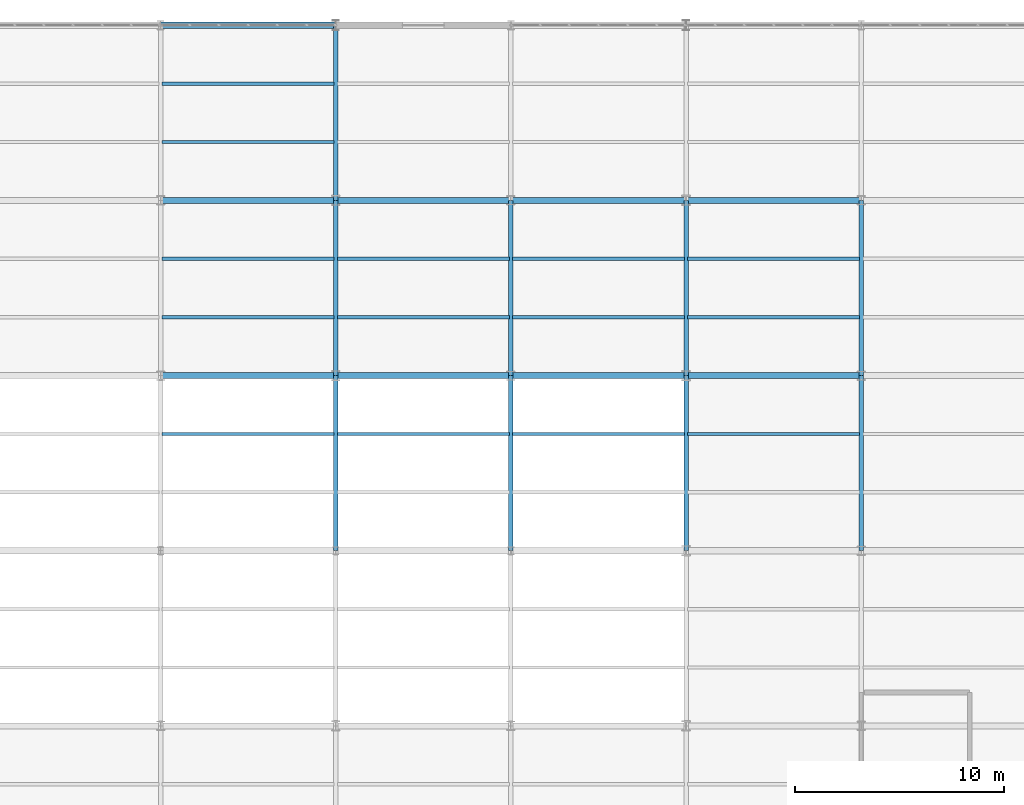
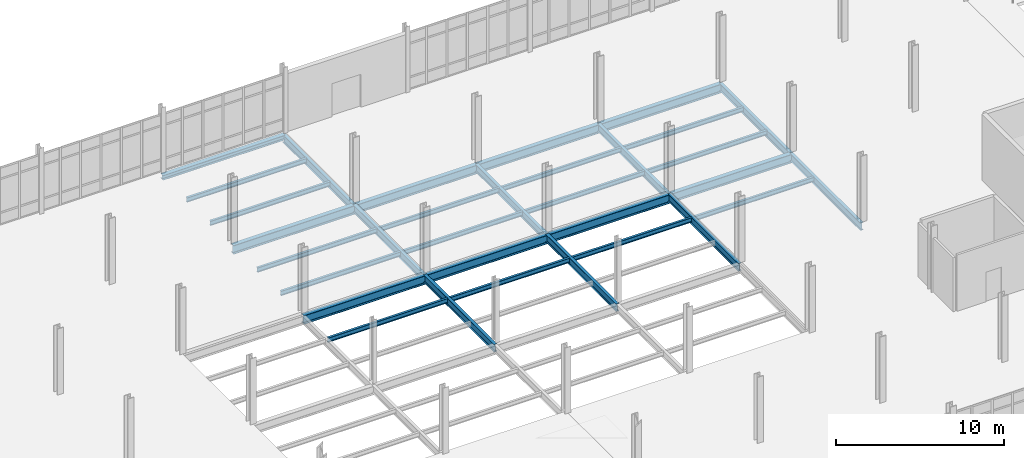
# One storey, part 88 of 145: 32 beams.
"""IFC4 building model written with IfcOpenShell, lengths in metres."""

from ifc_helpers import new_model, si_unit, direction, frame, origin, origin_2d, place, context, subcontext, project, spatial, i_section, extrude, material, material_profile, profile_set, type_object, element, save


model = new_model("IFC4")

# Units and contexts
model_context = context("Model", 3, precision=1e-05, world=origin(), true_north=direction((0.0, 1.0)))
body_context = subcontext(model_context, "Body", "Model", "MODEL_VIEW")
ifc_project = project(units=[si_unit("LENGTHUNIT", "METRE"), si_unit("AREAUNIT", "SQUARE_METRE"), si_unit("VOLUMEUNIT", "CUBIC_METRE"), si_unit("PLANEANGLEUNIT", "RADIAN"), si_unit("MASSUNIT", "GRAM", prefix="KILO")], contexts=[model_context])

# Site, building, storey
site_placement = place(None, origin())
site = spatial("IfcSite", under=ifc_project, at=site_placement, CompositionType="ELEMENT")
building_placement = place(site_placement, origin())
building = spatial("IfcBuilding", under=site, at=building_placement, Name="Qalvenar Corner Mobility Hub", CompositionType="ELEMENT")
storey_placement = place(building_placement, origin())
storey = spatial("IfcBuildingStorey", under=building, at=storey_placement, Name="L00", CompositionType="ELEMENT", Elevation=0.0)

# Beams
ifc_material = material(Name="Steel S355", Category="steel")
ifc_material_profile_1 = material_profile(ifc_material, i_section(OverallWidth=0.300048828125, OverallDepth=0.639892578125, WebThickness=0.013427734375, FlangeThickness=0.02587890625, FilletRadius=0.027099609375, at=origin_2d()), Name="HEA650")
ifc_profile_set_1 = profile_set([ifc_material_profile_1], Name="Steel S355")
beam_type_1 = type_object("IfcBeamType", Name="BM-HEA650", PredefinedType="BEAM", material=ifc_profile_set_1)
beam_1_placement = place(storey_placement, frame((92.39990234375, 100.800048828125, -0.5400390625), z_axis=(1.0, 0.0, 0.0), x_axis=(0.0, 1.0, 0.0)))
element("IfcBeam", 1, at=beam_1_placement, inside=storey, type_object=beam_type_1, Name="Primary Steel Girder GX-0565", PredefinedType="BEAM", context=body_context, shape_type="SweptSolid", body=[
    extrude(i_section(OverallWidth=0.300048828125, OverallDepth=0.639892578125, WebThickness=0.013427734375, FlangeThickness=0.02587890625, FilletRadius=0.027099609375, at=origin_2d()), origin(), (0.0, 0.0, 1.0), 8.400146484375),
])
beam_2_placement = place(storey_placement, frame((100.800048828125, 100.800048828125, -0.5400390625), z_axis=(1.0, 0.0, 0.0), x_axis=(0.0, 1.0, 0.0)))
element("IfcBeam", 2, at=beam_2_placement, inside=storey, type_object=beam_type_1, Name="Primary Steel Girder GX-0566", PredefinedType="BEAM", context=body_context, shape_type="SweptSolid", body=[
    extrude(i_section(OverallWidth=0.300048828125, OverallDepth=0.639892578125, WebThickness=0.013427734375, FlangeThickness=0.02587890625, FilletRadius=0.027099609375, at=origin_2d()), origin(), (0.0, 0.0, 1.0), 8.39990234375),
])
beam_3_placement = place(storey_placement, frame((109.199951171875, 100.800048828125, -0.5400390625), z_axis=(1.0, 0.0, 0.0), x_axis=(0.0, 1.0, 0.0)))
element("IfcBeam", 3, at=beam_3_placement, inside=storey, type_object=beam_type_1, Name="Primary Steel Girder GX-0567", PredefinedType="BEAM", context=body_context, shape_type="SweptSolid", body=[
    extrude(i_section(OverallWidth=0.300048828125, OverallDepth=0.639892578125, WebThickness=0.013427734375, FlangeThickness=0.02587890625, FilletRadius=0.027099609375, at=origin_2d()), origin(), (0.0, 0.0, 1.0), 8.400146484375),
])
beam_4_placement = place(storey_placement, frame((117.60009765625, 100.800048828125, -0.5400390625), z_axis=(1.0, 0.0, 0.0), x_axis=(0.0, 1.0, 0.0)))
element("IfcBeam", 4, at=beam_4_placement, inside=storey, type_object=beam_type_1, Name="Primary Steel Girder GX-0568", PredefinedType="BEAM", context=body_context, shape_type="SweptSolid", body=[
    extrude(i_section(OverallWidth=0.300048828125, OverallDepth=0.639892578125, WebThickness=0.013427734375, FlangeThickness=0.02587890625, FilletRadius=0.027099609375, at=origin_2d()), origin(), (0.0, 0.0, 1.0), 8.39990234375),
])
beam_5_placement = place(storey_placement, frame((92.39990234375, 109.199951171875, -0.5400390625), z_axis=(1.0, 0.0, 0.0), x_axis=(0.0, 1.0, 0.0)))
element("IfcBeam", 5, at=beam_5_placement, inside=storey, type_object=beam_type_1, Name="Primary Steel Girder GX-0575", PredefinedType="BEAM", context=body_context, shape_type="SweptSolid", body=[
    extrude(i_section(OverallWidth=0.300048828125, OverallDepth=0.639892578125, WebThickness=0.013427734375, FlangeThickness=0.02587890625, FilletRadius=0.027099609375, at=origin_2d()), origin(), (0.0, 0.0, 1.0), 8.400146484375),
])
beam_6_placement = place(storey_placement, frame((100.800048828125, 109.199951171875, -0.5400390625), z_axis=(1.0, 0.0, 0.0), x_axis=(0.0, 1.0, 0.0)))
element("IfcBeam", 6, at=beam_6_placement, inside=storey, type_object=beam_type_1, Name="Primary Steel Girder GX-0576", PredefinedType="BEAM", context=body_context, shape_type="SweptSolid", body=[
    extrude(i_section(OverallWidth=0.300048828125, OverallDepth=0.639892578125, WebThickness=0.013427734375, FlangeThickness=0.02587890625, FilletRadius=0.027099609375, at=origin_2d()), origin(), (0.0, 0.0, 1.0), 8.39990234375),
])
beam_7_placement = place(storey_placement, frame((109.199951171875, 109.199951171875, -0.5400390625), z_axis=(1.0, 0.0, 0.0), x_axis=(0.0, 1.0, 0.0)))
element("IfcBeam", 7, at=beam_7_placement, inside=storey, type_object=beam_type_1, Name="Primary Steel Girder GX-0577", PredefinedType="BEAM", context=body_context, shape_type="SweptSolid", body=[
    extrude(i_section(OverallWidth=0.300048828125, OverallDepth=0.639892578125, WebThickness=0.013427734375, FlangeThickness=0.02587890625, FilletRadius=0.027099609375, at=origin_2d()), origin(), (0.0, 0.0, 1.0), 8.400146484375),
])
beam_8_placement = place(storey_placement, frame((117.60009765625, 109.199951171875, -0.5400390625), z_axis=(1.0, 0.0, 0.0), x_axis=(0.0, 1.0, 0.0)))
element("IfcBeam", 8, at=beam_8_placement, inside=storey, type_object=beam_type_1, Name="Primary Steel Girder GX-0578", PredefinedType="BEAM", context=body_context, shape_type="SweptSolid", body=[
    extrude(i_section(OverallWidth=0.300048828125, OverallDepth=0.639892578125, WebThickness=0.013427734375, FlangeThickness=0.02587890625, FilletRadius=0.027099609375, at=origin_2d()), origin(), (0.0, 0.0, 1.0), 8.39990234375),
])
ifc_material_profile_2 = material_profile(ifc_material, i_section(OverallWidth=0.2099609375, OverallDepth=0.550048828125, WebThickness=0.010986328125, FlangeThickness=0.01708984375, FilletRadius=0.02392578125, at=origin_2d()), Name="IPE550")
ifc_profile_set_2 = profile_set([ifc_material_profile_2], Name="Steel S355")
beam_type_2 = type_object("IfcBeamType", Name="BM-IPE550", PredefinedType="BEAM", material=ifc_profile_set_2)
beam_9_placement = place(storey_placement, frame((100.800048828125, 92.39990234375, -0.4951171875), z_axis=(0.0, 1.0, 0.0), x_axis=(-1.0, 0.0, 0.0)))
element("IfcBeam", 9, at=beam_9_placement, inside=storey, type_object=beam_type_2, Name="Primary Steel Girder GY-0620", PredefinedType="BEAM", context=body_context, shape_type="SweptSolid", body=[
    extrude(i_section(OverallWidth=0.2099609375, OverallDepth=0.550048828125, WebThickness=0.010986328125, FlangeThickness=0.01708984375, FilletRadius=0.02392578125, at=origin_2d()), origin(), (0.0, 0.0, 1.0), 8.400146484375),
])
beam_10_placement = place(storey_placement, frame((100.800048828125, 100.800048828125, -0.4951171875), z_axis=(0.0, 1.0, 0.0), x_axis=(-1.0, 0.0, 0.0)))
element("IfcBeam", 10, at=beam_10_placement, inside=storey, type_object=beam_type_2, Name="Primary Steel Girder GY-0621", PredefinedType="BEAM", context=body_context, shape_type="SweptSolid", body=[
    extrude(i_section(OverallWidth=0.2099609375, OverallDepth=0.550048828125, WebThickness=0.010986328125, FlangeThickness=0.01708984375, FilletRadius=0.02392578125, at=origin_2d()), origin(), (0.0, 0.0, 1.0), 8.39990234375),
])
for number, where, z_axis, x_axis, name in (
    (11, (100.800048828125, 109.199951171875, -0.4951171875), (0.0, 1.0, 0.0), (-1.0, 0.0, 0.0), "Primary Steel Girder GY-0622"),
    (12, (109.199951171875, 92.39990234375, -0.4951171875), (0.0, 1.0, 0.0), (-1.0, 0.0, 0.0), "Primary Steel Girder GY-0626"),
):
    element("IfcBeam", number, at=place(storey_placement, frame(where, z_axis=z_axis, x_axis=x_axis)), inside=storey, type_object=beam_type_2, Name=name, PredefinedType="BEAM", context=body_context, shape_type="SweptSolid", body=[
        extrude(i_section(OverallWidth=0.2099609375, OverallDepth=0.550048828125, WebThickness=0.010986328125, FlangeThickness=0.01708984375, FilletRadius=0.02392578125, at=origin_2d()), origin(), (0.0, 0.0, 1.0), 8.400146484375),
    ])
beam_11_placement = place(storey_placement, frame((109.199951171875, 100.800048828125, -0.4951171875), z_axis=(0.0, 1.0, 0.0), x_axis=(-1.0, 0.0, 0.0)))
element("IfcBeam", 13, at=beam_11_placement, inside=storey, type_object=beam_type_2, Name="Primary Steel Girder GY-0627", PredefinedType="BEAM", context=body_context, shape_type="SweptSolid", body=[
    extrude(i_section(OverallWidth=0.2099609375, OverallDepth=0.550048828125, WebThickness=0.010986328125, FlangeThickness=0.01708984375, FilletRadius=0.02392578125, at=origin_2d()), origin(), (0.0, 0.0, 1.0), 8.39990234375),
])
beam_12_placement = place(storey_placement, frame((117.60009765625, 92.39990234375, -0.4951171875), z_axis=(0.0, 1.0, 0.0), x_axis=(-1.0, 0.0, 0.0)))
element("IfcBeam", 14, at=beam_12_placement, inside=storey, type_object=beam_type_2, Name="Primary Steel Girder GY-0632", PredefinedType="BEAM", context=body_context, shape_type="SweptSolid", body=[
    extrude(i_section(OverallWidth=0.2099609375, OverallDepth=0.550048828125, WebThickness=0.010986328125, FlangeThickness=0.01708984375, FilletRadius=0.02392578125, at=origin_2d()), origin(), (0.0, 0.0, 1.0), 8.400146484375),
])
beam_13_placement = place(storey_placement, frame((117.60009765625, 100.800048828125, -0.4951171875), z_axis=(0.0, 1.0, 0.0), x_axis=(-1.0, 0.0, 0.0)))
element("IfcBeam", 15, at=beam_13_placement, inside=storey, type_object=beam_type_2, Name="Primary Steel Girder GY-0633", PredefinedType="BEAM", context=body_context, shape_type="SweptSolid", body=[
    extrude(i_section(OverallWidth=0.2099609375, OverallDepth=0.550048828125, WebThickness=0.010986328125, FlangeThickness=0.01708984375, FilletRadius=0.02392578125, at=origin_2d()), origin(), (0.0, 0.0, 1.0), 8.39990234375),
])
beam_14_placement = place(storey_placement, frame((126.0, 92.39990234375, -0.4951171875), z_axis=(0.0, 1.0, 0.0), x_axis=(-1.0, 0.0, 0.0)))
element("IfcBeam", 16, at=beam_14_placement, inside=storey, type_object=beam_type_2, Name="Primary Steel Girder GY-0638", PredefinedType="BEAM", context=body_context, shape_type="SweptSolid", body=[
    extrude(i_section(OverallWidth=0.2099609375, OverallDepth=0.550048828125, WebThickness=0.010986328125, FlangeThickness=0.01708984375, FilletRadius=0.02392578125, at=origin_2d()), origin(), (0.0, 0.0, 1.0), 8.400146484375),
])
beam_15_placement = place(storey_placement, frame((126.0, 100.800048828125, -0.4951171875), z_axis=(0.0, 1.0, 0.0), x_axis=(-1.0, 0.0, 0.0)))
element("IfcBeam", 17, at=beam_15_placement, inside=storey, type_object=beam_type_2, Name="Primary Steel Girder GY-0639", PredefinedType="BEAM", context=body_context, shape_type="SweptSolid", body=[
    extrude(i_section(OverallWidth=0.2099609375, OverallDepth=0.550048828125, WebThickness=0.010986328125, FlangeThickness=0.01708984375, FilletRadius=0.02392578125, at=origin_2d()), origin(), (0.0, 0.0, 1.0), 8.39990234375),
])
ifc_material_profile_3 = material_profile(ifc_material, i_section(OverallWidth=0.159912109375, OverallDepth=0.330078125, WebThickness=0.007568359375, FlangeThickness=0.011474609375, FilletRadius=0.01806640625, at=origin_2d()), Name="IPE330")
ifc_profile_set_3 = profile_set([ifc_material_profile_3], Name="Steel S355")
beam_type_3 = type_object("IfcBeamType", Name="BM-JST330", PredefinedType="JOIST", material=ifc_profile_set_3)
for number, where, z_axis, x_axis, name in (
    (18, (92.47802734375, 98.0, -0.385009765625), (1.0, 0.0, 0.0), (0.0, 1.0, 0.0), "Composite Floor Joist J-0700"),
    (19, (92.47802734375, 103.60009765625, -0.385009765625), (1.0, 0.0, 0.0), (0.0, 1.0, 0.0), "Composite Floor Joist J-0701"),
    (20, (92.47802734375, 106.39990234375, -0.385009765625), (1.0, 0.0, 0.0), (0.0, 1.0, 0.0), "Composite Floor Joist J-0702"),
    (21, (92.47802734375, 112.0, -0.385009765625), (1.0, 0.0, 0.0), (0.0, 1.0, 0.0), "Composite Floor Joist J-0703"),
    (22, (92.47802734375, 114.800048828125, -0.385009765625), (1.0, 0.0, 0.0), (0.0, 1.0, 0.0), "Composite Floor Joist J-0704"),
):
    element("IfcBeam", number, at=place(storey_placement, frame(where, z_axis=z_axis, x_axis=x_axis)), inside=storey, type_object=beam_type_3, Name=name, PredefinedType="JOIST", context=body_context, shape_type="SweptSolid", body=[
        extrude(i_section(OverallWidth=0.159912109375, OverallDepth=0.330078125, WebThickness=0.007568359375, FlangeThickness=0.011474609375, FilletRadius=0.01806640625, at=origin_2d()), origin(), (0.0, 0.0, 1.0), 8.243896484375),
    ])
for number, where, z_axis, x_axis, name in (
    (23, (100.8779296875, 98.0, -0.385009765625), (1.0, 0.0, 0.0), (0.0, 1.0, 0.0), "Composite Floor Joist J-0712"),
    (24, (100.8779296875, 103.60009765625, -0.385009765625), (1.0, 0.0, 0.0), (0.0, 1.0, 0.0), "Composite Floor Joist J-0713"),
    (25, (100.8779296875, 106.39990234375, -0.385009765625), (1.0, 0.0, 0.0), (0.0, 1.0, 0.0), "Composite Floor Joist J-0714"),
):
    element("IfcBeam", number, at=place(storey_placement, frame(where, z_axis=z_axis, x_axis=x_axis)), inside=storey, type_object=beam_type_3, Name=name, PredefinedType="JOIST", context=body_context, shape_type="SweptSolid", body=[
        extrude(i_section(OverallWidth=0.159912109375, OverallDepth=0.330078125, WebThickness=0.007568359375, FlangeThickness=0.011474609375, FilletRadius=0.01806640625, at=origin_2d()), origin(), (0.0, 0.0, 1.0), 8.244140625),
    ])
for number, where, z_axis, x_axis, name in (
    (26, (109.278076171875, 98.0, -0.385009765625), (1.0, 0.0, 0.0), (0.0, 1.0, 0.0), "Composite Floor Joist J-0724"),
    (27, (109.278076171875, 103.60009765625, -0.385009765625), (1.0, 0.0, 0.0), (0.0, 1.0, 0.0), "Composite Floor Joist J-0725"),
    (28, (109.278076171875, 106.39990234375, -0.385009765625), (1.0, 0.0, 0.0), (0.0, 1.0, 0.0), "Composite Floor Joist J-0726"),
):
    element("IfcBeam", number, at=place(storey_placement, frame(where, z_axis=z_axis, x_axis=x_axis)), inside=storey, type_object=beam_type_3, Name=name, PredefinedType="JOIST", context=body_context, shape_type="SweptSolid", body=[
        extrude(i_section(OverallWidth=0.159912109375, OverallDepth=0.330078125, WebThickness=0.007568359375, FlangeThickness=0.011474609375, FilletRadius=0.01806640625, at=origin_2d()), origin(), (0.0, 0.0, 1.0), 8.243896484375),
    ])
for number, where, z_axis, x_axis, name in (
    (29, (117.677978515625, 98.0, -0.385009765625), (1.0, 0.0, 0.0), (0.0, 1.0, 0.0), "Composite Floor Joist J-0736"),
    (30, (117.677978515625, 103.60009765625, -0.385009765625), (1.0, 0.0, 0.0), (0.0, 1.0, 0.0), "Composite Floor Joist J-0737"),
    (31, (117.677978515625, 106.39990234375, -0.385009765625), (1.0, 0.0, 0.0), (0.0, 1.0, 0.0), "Composite Floor Joist J-0738"),
):
    element("IfcBeam", number, at=place(storey_placement, frame(where, z_axis=z_axis, x_axis=x_axis)), inside=storey, type_object=beam_type_3, Name=name, PredefinedType="JOIST", context=body_context, shape_type="SweptSolid", body=[
        extrude(i_section(OverallWidth=0.159912109375, OverallDepth=0.330078125, WebThickness=0.007568359375, FlangeThickness=0.011474609375, FilletRadius=0.01806640625, at=origin_2d()), origin(), (0.0, 0.0, 1.0), 8.244140625),
    ])
ifc_material_profile_4 = material_profile(ifc_material, i_section(OverallWidth=0.300048828125, OverallDepth=0.35009765625, WebThickness=0.010009765625, FlangeThickness=0.017578125, FilletRadius=0.027099609375, at=origin_2d()), Name="HEA360")
ifc_profile_set_4 = profile_set([ifc_material_profile_4], Name="Steel S355")
beam_type_4 = type_object("IfcBeamType", Name="BM-SPN360", PredefinedType="SPANDREL", material=ifc_profile_set_4)
beam_16_placement = place(storey_placement, frame((92.39990234375, 117.60009765625, -0.39501953125), z_axis=(1.0, 0.0, 0.0), x_axis=(0.0, 1.0, 0.0)))
element("IfcBeam", 32, at=beam_16_placement, inside=storey, type_object=beam_type_4, Name="Primary Steel Girder GX-0584", PredefinedType="SPANDREL", context=body_context, shape_type="SweptSolid", body=[
    extrude(i_section(OverallWidth=0.300048828125, OverallDepth=0.35009765625, WebThickness=0.010009765625, FlangeThickness=0.017578125, FilletRadius=0.027099609375, at=origin_2d()), origin(), (0.0, 0.0, 1.0), 8.400146484375),
])

save(model, "model.ifc")
